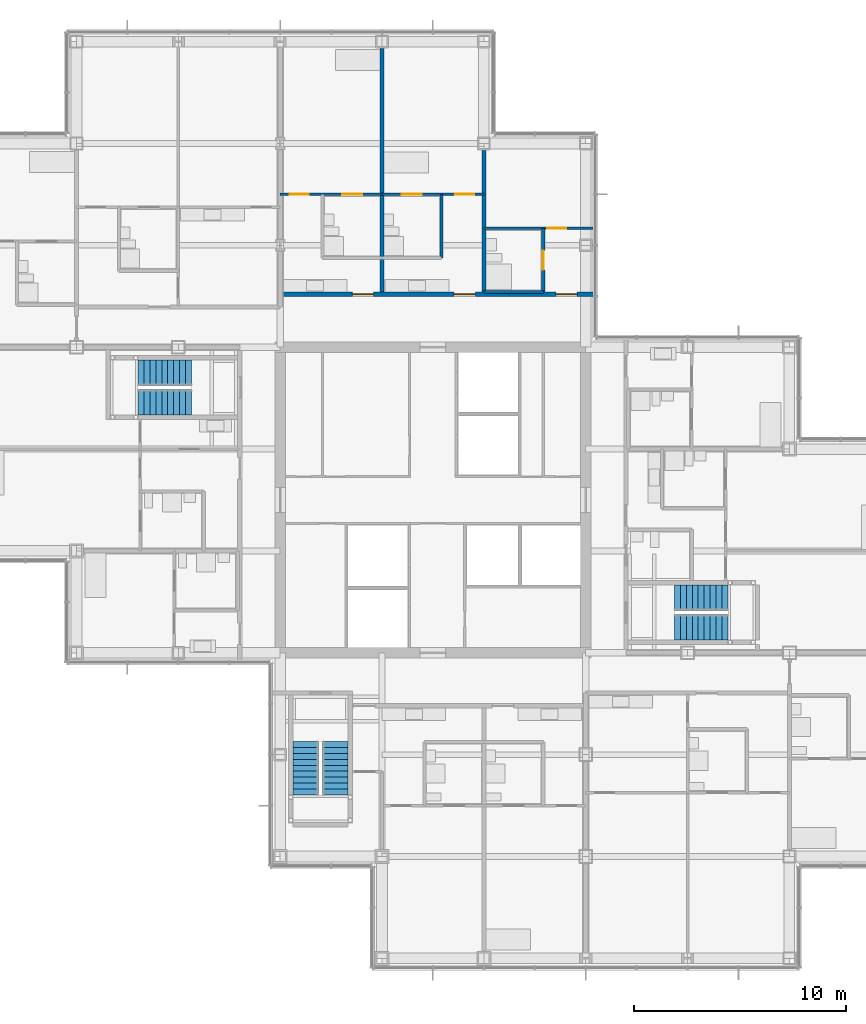
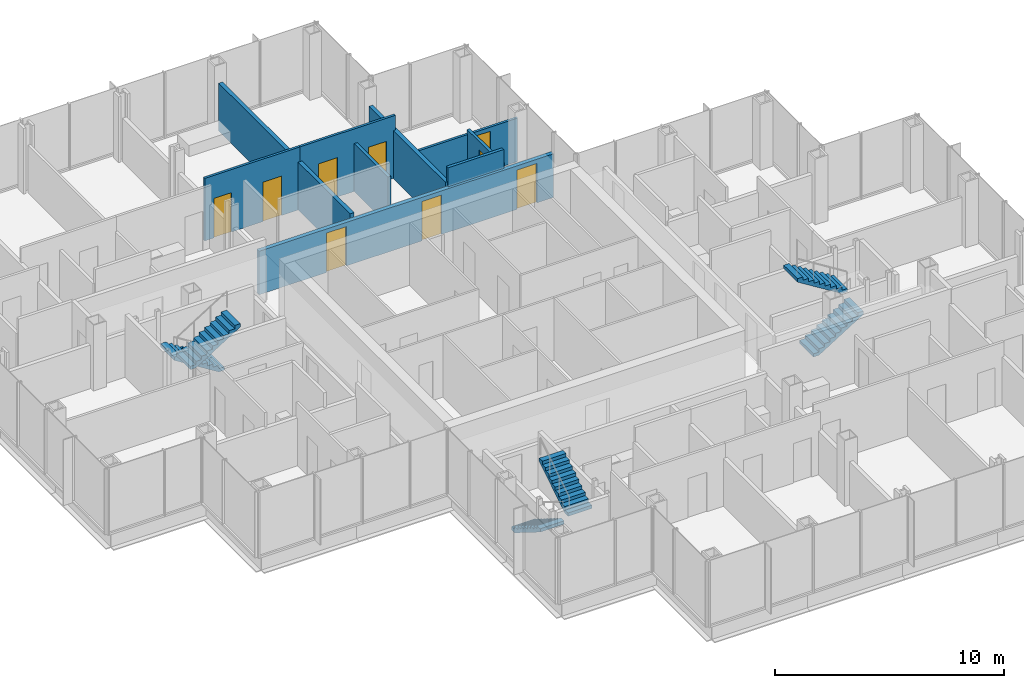
# One storey, part 17 of 20: 9 doors, 9 walls, 6 stair flights, 9 openings, 3 elements without a shape of their own.
"""IFC4 building model written with IfcOpenShell, lengths in metres."""

import ifcopenshell
import ifcopenshell.guid

model = None  # the IFC model being written
_history = None  # IfcOwnerHistory: only IFC2X3 demands one
_inside = {}  # id of a spatial element -> (the spatial element, [elements in it])
_under = {}  # id of a project, library or spatial element -> (it, [spatial elements below it])
_declared = {}  # id of a project -> (the project, [libraries it declares])
_typed = {}  # id of a type object -> (the type object, [elements of that type])
_made_of = {}  # id of a material, layer set ... -> (it, [elements and type objects made of it])


def new_model(schema):
    """Start an empty IFC model of exactly this schema.

    Asked for "IFC4X3", IfcOpenShell would pick the latest addendum, in which some entities
    have other attributes; the version numbers below select the first issue.
    IFC2X3 requires an IfcOwnerHistory on every rooted entity: one is made here for all.
    """
    global model, _history
    if schema == "IFC4X3":
        model = ifcopenshell.file(schema_version=(4, 3, 0, 0))
    else:
        model = ifcopenshell.file(schema=schema)
    _inside.clear()
    _under.clear()
    _declared.clear()
    _typed.clear()
    _made_of.clear()
    _history = None
    if model.schema == "IFC2X3":
        org = make("IfcOrganization", Name="unknown")
        user = make(
            "IfcPersonAndOrganization",
            ThePerson=make("IfcPerson", FamilyName="unknown"),
            TheOrganization=org,
        )
        app = make(
            "IfcApplication",
            ApplicationDeveloper=org,
            Version="unknown",
            ApplicationFullName="unknown",
            ApplicationIdentifier="unknown",
        )
        _history = make(
            "IfcOwnerHistory",
            OwningUser=user,
            OwningApplication=app,
            ChangeAction="ADDED",
            CreationDate=0,
        )
    return model


def make(cls, **values):
    """One entity of the class cls with the attributes given. An attribute that is None is left unset."""
    return model.create_entity(
        cls, **{name: value for name, value in values.items() if value is not None}
    )


def rooted(cls, **values):
    """An entity with a GlobalId (a new one), such as an element, a storey or a relation."""
    return make(cls, GlobalId=ifcopenshell.guid.new(), OwnerHistory=_history, **values)


def si_unit(unit_type, name, prefix=None):
    """IfcSIUnit, for example si_unit("LENGTHUNIT", "METRE", prefix="MILLI")."""
    return make("IfcSIUnit", UnitType=unit_type, Prefix=prefix, Name=name)


def assignment(units):
    """IfcUnitAssignment: the units of a project."""
    return None if units is None else make("IfcUnitAssignment", Units=units)


def point(xyz):
    """IfcCartesianPoint."""
    return None if xyz is None else make("IfcCartesianPoint", Coordinates=xyz)


def direction(xyz):
    """IfcDirection."""
    return None if xyz is None else make("IfcDirection", DirectionRatios=xyz)


def frame(location, z_axis=None, x_axis=None):
    """IfcAxis2Placement3D, a coordinate frame: its origin and axes. An axis left out is left unset."""
    return make(
        "IfcAxis2Placement3D",
        Location=point(location),
        Axis=direction(z_axis),
        RefDirection=direction(x_axis),
    )


def frame_2d(location, x_axis=None):
    """IfcAxis2Placement2D, a coordinate frame in the plane: its origin and x axis."""
    return make(
        "IfcAxis2Placement2D", Location=point(location), RefDirection=direction(x_axis)
    )


def origin():
    """The frame at (0, 0, 0) with its axes left unset."""
    return frame((0.0, 0.0, 0.0))


def place(relative_to, where):
    """IfcLocalPlacement: puts the frame where relative to a parent placement (None: the world)."""
    return make(
        "IfcLocalPlacement", PlacementRelTo=relative_to, RelativePlacement=where
    )


def context(
    kind, dimensions, precision=None, world=None, true_north=None, identifier=None
):
    """IfcGeometricRepresentationContext, for example the 3D "Model" context."""
    return make(
        "IfcGeometricRepresentationContext",
        ContextIdentifier=identifier,
        ContextType=kind,
        CoordinateSpaceDimension=dimensions,
        Precision=precision,
        WorldCoordinateSystem=world,
        TrueNorth=true_north,
    )


def subcontext(parent, identifier, kind, view, scale=None):
    """IfcGeometricRepresentationSubContext, for example "Body" below "Model"."""
    return make(
        "IfcGeometricRepresentationSubContext",
        ContextIdentifier=identifier,
        ContextType=kind,
        ParentContext=parent,
        TargetScale=scale,
        TargetView=view,
    )


def project(units=None, contexts=None):
    """IfcProject with its units and contexts."""
    return rooted(
        "IfcProject",
        Name="project",
        RepresentationContexts=contexts,
        UnitsInContext=assignment(units),
    )


def spatial(cls, under=None, at=None, **own):
    """A site, building, storey or space (cls), placed at a placement, below another one or the project."""
    s = rooted(cls, ObjectPlacement=at, **own)
    if under is not None:
        _under.setdefault(under.id(), (under, []))[1].append(s)
    return s


def polyline(points):
    """IfcPolyline through the points."""
    return make("IfcPolyline", Points=[point(p) for p in points])


def profile(cls, at=None, kind="AREA", **sizes):
    """A parametric profile (cls). Its sizes go by their IFC names, for example OverallWidth=200.0."""
    return make(cls, ProfileType=kind, Position=at, **sizes)


def rectangle(**sizes):
    """IfcRectangleProfileDef."""
    return profile("IfcRectangleProfileDef", **sizes)


def outline(outer, holes=None, kind="AREA"):
    """IfcArbitraryClosedProfileDef: a profile drawn as a closed curve; with holes, ...WithVoids."""
    if holes is None:
        return make("IfcArbitraryClosedProfileDef", ProfileType=kind, OuterCurve=outer)
    return make(
        "IfcArbitraryProfileDefWithVoids",
        ProfileType=kind,
        OuterCurve=outer,
        InnerCurves=holes,
    )


def extrude(swept, where, along, depth):
    """IfcExtrudedAreaSolid: the profile swept, set in the frame where, extruded along a direction by depth."""
    return make(
        "IfcExtrudedAreaSolid",
        SweptArea=swept,
        Position=where,
        ExtrudedDirection=direction(along),
        Depth=depth,
    )


def shape(context_of_items, identifier, shape_type, items):
    """IfcShapeRepresentation: the items that make up one representation, for example the "Body"."""
    return make(
        "IfcShapeRepresentation",
        ContextOfItems=context_of_items,
        RepresentationIdentifier=identifier,
        RepresentationType=shape_type,
        Items=items,
    )


def material(Name=None, Category=None):
    """IfcMaterial."""
    return make("IfcMaterial", Name=Name, Category=Category)


def layer(
    of_material, thickness, ventilated=None, Name=None, Category=None, Priority=None
):
    """IfcMaterialLayer: one layer of a wall or slab, of a material (None: an air gap)."""
    return make(
        "IfcMaterialLayer",
        Material=of_material,
        LayerThickness=thickness,
        IsVentilated=ventilated,
        Name=Name,
        Category=Category,
        Priority=Priority,
    )


def layer_set(layers, Name=None):
    """IfcMaterialLayerSet."""
    return make("IfcMaterialLayerSet", MaterialLayers=layers, LayerSetName=Name)


def made_of(thing, what):
    """Note that an element or type object is made of a material, layer set ...; save() writes the relation."""
    if what is not None:
        _made_of.setdefault(what.id(), (what, []))[1].append(thing)
    return thing


def type_object(cls, material=None, **own):
    """A type object (cls), such as IfcWallType, which elements share."""
    return made_of(rooted(cls, **own), material)


def element(
    cls,
    number,
    at=None,
    inside=None,
    cuts=None,
    type_object=None,
    material=None,
    context=None,
    identifier="Body",
    shape_type=None,
    held_by="IfcProductDefinitionShape",
    body=None,
    shapes=None,
    **own,
):
    """One element of the class cls, such as IfcWall. Its Tag is "e" and its number.

    at: its placement. inside: the storey or other place that contains it. cuts: it is an
    opening in that element (IfcRelVoidsElement). A single representation is given by context,
    identifier, shape_type and body (its items); several are given by shapes. held_by: the class
    of the entity that holds the representations. save() writes the other relations.
    """
    e = rooted(cls, Tag="e%d" % number, ObjectPlacement=at, **own)
    if body is not None:
        shapes = [shape(context, identifier, shape_type, body)]
    if shapes is not None:
        e.Representation = make(held_by, Representations=shapes)
    if inside is not None:
        _inside.setdefault(inside.id(), (inside, []))[1].append(e)
    if cuts is not None:
        rooted(
            "IfcRelVoidsElement", RelatingBuildingElement=cuts, RelatedOpeningElement=e
        )
    if type_object is not None:
        _typed.setdefault(type_object.id(), (type_object, []))[1].append(e)
    return made_of(e, material)


def fill(opening, filler):
    """IfcRelFillsElement: the door or window that sits in an opening."""
    return rooted(
        "IfcRelFillsElement",
        RelatingOpeningElement=opening,
        RelatedBuildingElement=filler,
    )


def aggregate(whole, parts):
    """IfcRelAggregates: a whole, such as a stair, and the parts it consists of."""
    return rooted("IfcRelAggregates", RelatingObject=whole, RelatedObjects=parts)


def save(model, path):
    """Write the relations noted so far, then the file.

    IfcRelAggregates (storeys below a building ...), IfcRelContainedInSpatialStructure (elements
    in a storey), IfcRelDefinesByType, IfcRelAssociatesMaterial and IfcRelDeclares: one each for
    every whole, place, type object, material and project.
    """
    for whole, parts in _under.values():
        aggregate(whole, parts)
    for where, things in _inside.values():
        rooted(
            "IfcRelContainedInSpatialStructure",
            RelatedElements=things,
            RelatingStructure=where,
        )
    for kind, things in _typed.values():
        rooted("IfcRelDefinesByType", RelatedObjects=things, RelatingType=kind)
    for what, things in _made_of.values():
        rooted("IfcRelAssociatesMaterial", RelatedObjects=things, RelatingMaterial=what)
    for by, libraries in _declared.values():
        rooted("IfcRelDeclares", RelatingContext=by, RelatedDefinitions=libraries)
    model.write(path)


model = new_model("IFC4")

# Units and contexts
model_context = context("Model", 3, precision=1e-05, world=origin(), true_north=direction((0.0, 1.0)))
body_context = subcontext(model_context, "Body", "Model", "MODEL_VIEW")
ifc_project = project(units=[si_unit("LENGTHUNIT", "METRE"), si_unit("AREAUNIT", "SQUARE_METRE"), si_unit("VOLUMEUNIT", "CUBIC_METRE"), si_unit("PLANEANGLEUNIT", "RADIAN"), si_unit("MASSUNIT", "GRAM", prefix="KILO")], contexts=[model_context])

# Site, building, storey
site_placement = place(None, origin())
site = spatial("IfcSite", under=ifc_project, at=site_placement, CompositionType="ELEMENT")
building_placement = place(site_placement, origin())
building = spatial("IfcBuilding", under=site, at=building_placement, Name="Kvirike Care Tower", CompositionType="ELEMENT")
storey_placement = place(building_placement, frame((0.0, 0.0, 101.5)))
storey = spatial("IfcBuildingStorey", under=building, at=storey_placement, Name="L27", CompositionType="ELEMENT", Elevation=101.5)

# Wall, opening, door
ifc_material_1 = material(Name="Moisture-resistant board partition", Category="gypsum")
ifc_layer_1 = layer(ifc_material_1, 0.14990234375)
ifc_layer_set_1 = layer_set([ifc_layer_1], Name="BATHROOM WALL 150")
wall_type_1 = type_object("IfcWallType", Name="BATHROOM WALL 150", PredefinedType="PARTITIONING", material=ifc_layer_set_1)
wall_1_placement = place(storey_placement, frame((26.800048828125, 48.800048828125, 0.0), z_axis=(0.0, 0.0, 1.0), x_axis=(0.0, -1.0, 0.0)))
wall_1 = element("IfcWall", 1, at=wall_1_placement, inside=storey, type_object=wall_type_1, Name="Bathroom Wall 150 L27", PredefinedType="PARTITIONING", context=body_context, shape_type="SweptSolid", body=[
    extrude(rectangle(XDim=3.0, YDim=0.14990234375, at=frame_2d((1.5, 0.0))), origin(), (0.0, 0.0, 1.0), 2.550048828125),
])
opening_1_placement = place(wall_1_placement, frame((1.050048828125, 0.0, 0.0)))
opening_1 = element("IfcOpeningElement", 2, at=opening_1_placement, cuts=wall_1, Name="Opening 27-026", PredefinedType="OPENING", context=body_context, shape_type="SweptSolid", body=[
    extrude(rectangle(XDim=0.89990234375, YDim=2.10009765625, at=frame_2d((0.449951171875, 1.050048828125))), frame((0.0, 0.08544921875, 0.0), z_axis=(0.0, -1.0, 0.0), x_axis=(1.0, 0.0, 0.0)), (0.0, 0.0, 1.0), 0.1708984375),
])
ifc_material_2 = material(Name="Timber door set", Category="wood")
door_type_1 = type_object("IfcDoorType", Name="BATHROOM DOOR 900", OperationType="SINGLE_SWING_RIGHT", PredefinedType="DOOR", material=ifc_material_2)
door_1_placement = place(opening_1_placement, origin())
door_1 = element("IfcDoor", 3, at=door_1_placement, inside=storey, type_object=door_type_1, Name="Assisted bathroom door", OperationType="SINGLE_SWING_RIGHT", OverallHeight=2.10009765625, OverallWidth=0.89990234375, PredefinedType="DOOR", context=body_context, shape_type="SweptSolid", body=[
    extrude(rectangle(XDim=0.89990234375, YDim=2.10009765625, at=frame_2d((0.449951171875, 1.050048828125))), frame((0.0, 0.02197265625, 0.0), z_axis=(0.0, -1.0, 0.0), x_axis=(1.0, 0.0, 0.0)), (0.0, 0.0, 1.0), 0.0439453125),
])
fill(opening_1, door_1)

# Walls
wall_2_placement = place(storey_placement, frame((26.800048828125, 45.800048828125, 0.0), z_axis=(0.0, 0.0, 1.0), x_axis=(-1.0, 0.0, 0.0)))
element("IfcWall", 4, at=wall_2_placement, inside=storey, type_object=wall_type_1, Name="Bathroom Wall 150 L27", PredefinedType="PARTITIONING", context=body_context, shape_type="SweptSolid", body=[
    extrude(rectangle(XDim=2.800048828125, YDim=0.14990234375, at=frame_2d((1.39990234375, 0.0))), origin(), (0.0, 0.0, 1.0), 3.330078125),
])
wall_3_placement = place(storey_placement, frame((22.0, 50.39990234375, 0.0), z_axis=(0.0, 0.0, 1.0), x_axis=(0.0, -1.0, 0.0)))
element("IfcWall", 5, at=wall_3_placement, inside=storey, type_object=wall_type_1, Name="Bathroom Wall 150 L27", PredefinedType="PARTITIONING", context=body_context, shape_type="SweptSolid", body=[
    extrude(rectangle(XDim=3.0, YDim=0.14990234375, at=frame_2d((1.5, 0.0))), origin(), (0.0, 0.0, 1.0), 2.550048828125),
])

# Wall, openings, doors
ifc_material_3 = material(Name="Plasterboard corridor wall", Category="gypsum")
ifc_layer_2 = layer(ifc_material_3, 0.199951171875)
ifc_layer_set_2 = layer_set([ifc_layer_2], Name="CORRIDOR WALL 200")
wall_type_2 = type_object("IfcWallType", Name="CORRIDOR WALL 200", PredefinedType="PARTITIONING", material=ifc_layer_set_2)
wall_4_placement = place(storey_placement, frame((29.239990234375, 45.699951171875, 0.0), z_axis=(0.0, 0.0, 1.0), x_axis=(-1.0, 0.0, 0.0)))
wall_4 = element("IfcWall", 6, at=wall_4_placement, inside=storey, type_object=wall_type_2, Name="Corridor Wall 200 L27", PredefinedType="PARTITIONING", context=body_context, shape_type="SweptSolid", body=[
    extrude(rectangle(XDim=14.840087890625, YDim=0.199951171875, at=frame_2d((7.419921875, 0.0))), origin(), (0.0, 0.0, 1.0), 2.320068359375),
])
opening_2_placement = place(wall_4_placement, frame((0.840087890625, 0.0, 0.0)))
opening_2 = element("IfcOpeningElement", 7, at=opening_2_placement, cuts=wall_4, Name="Opening 27-032", PredefinedType="OPENING", context=body_context, shape_type="SweptSolid", body=[
    extrude(rectangle(XDim=1.0, YDim=2.10009765625, at=frame_2d((0.5, 1.050048828125))), frame((0.0, 0.110595703125, 0.0), z_axis=(0.0, -1.0, 0.0), x_axis=(1.0, 0.0, 0.0)), (0.0, 0.0, 1.0), 0.220947265625),
])
opening_3_placement = place(wall_4_placement, frame((5.639892578125, 0.0, 0.0)))
opening_3 = element("IfcOpeningElement", 8, at=opening_3_placement, cuts=wall_4, Name="Opening 27-033", PredefinedType="OPENING", context=body_context, shape_type="SweptSolid", body=[
    extrude(rectangle(XDim=1.0, YDim=2.10009765625, at=frame_2d((0.5, 1.050048828125))), frame((0.0, 0.110595703125, 0.0), z_axis=(0.0, -1.0, 0.0), x_axis=(1.0, 0.0, 0.0)), (0.0, 0.0, 1.0), 0.220947265625),
])
opening_4_placement = place(wall_4_placement, frame((10.43994140625, 0.0, 0.0)))
opening_4 = element("IfcOpeningElement", 9, at=opening_4_placement, cuts=wall_4, Name="Opening 27-034", PredefinedType="OPENING", context=body_context, shape_type="SweptSolid", body=[
    extrude(rectangle(XDim=1.0, YDim=2.10009765625, at=frame_2d((0.5, 1.050048828125))), frame((0.0, 0.110595703125, 0.0), z_axis=(0.0, -1.0, 0.0), x_axis=(1.0, 0.0, 0.0)), (0.0, 0.0, 1.0), 0.220947265625),
])
ifc_material_4 = material(Name="Timber door set", Category="wood")
door_type_2 = type_object("IfcDoorType", Name="FLAT ENTRANCE DOOR 1000", OperationType="SINGLE_SWING_LEFT", PredefinedType="DOOR", material=ifc_material_4)
door_2_placement = place(opening_2_placement, frame((1.0, 0.0, 0.0), z_axis=(0.0, 0.0, 1.0), x_axis=(-1.0, 0.0, 0.0)))
door_2 = element("IfcDoor", 10, at=door_2_placement, inside=storey, type_object=door_type_2, Name="Care base entrance", OperationType="SINGLE_SWING_LEFT", OverallHeight=2.10009765625, OverallWidth=1.0, PredefinedType="DOOR", context=body_context, shape_type="SweptSolid", body=[
    extrude(rectangle(XDim=1.0, YDim=2.10009765625, at=frame_2d((0.5, 1.050048828125))), frame((0.0, 0.02685546875, 0.0), z_axis=(0.0, -1.0, 0.0), x_axis=(1.0, 0.0, 0.0)), (0.0, 0.0, 1.0), 0.053955078125),
])
fill(opening_2, door_2)
door_3_placement = place(opening_3_placement, frame((1.0, 0.0, 0.0), z_axis=(0.0, 0.0, 1.0), x_axis=(-1.0, 0.0, 0.0)))
door_3 = element("IfcDoor", 11, at=door_3_placement, inside=storey, type_object=door_type_2, Name="Assisted living suite entrance", OperationType="SINGLE_SWING_LEFT", OverallHeight=2.10009765625, OverallWidth=1.0, PredefinedType="DOOR", context=body_context, shape_type="SweptSolid", body=[
    extrude(rectangle(XDim=1.0, YDim=2.10009765625, at=frame_2d((0.5, 1.050048828125))), frame((0.0, 0.02685546875, 0.0), z_axis=(0.0, -1.0, 0.0), x_axis=(1.0, 0.0, 0.0)), (0.0, 0.0, 1.0), 0.053955078125),
])
fill(opening_3, door_3)
door_4_placement = place(opening_4_placement, frame((1.0, 0.0, 0.0), z_axis=(0.0, 0.0, 1.0), x_axis=(-1.0, 0.0, 0.0)))
door_4 = element("IfcDoor", 12, at=door_4_placement, inside=storey, type_object=door_type_2, Name="Assisted living suite entrance", OperationType="SINGLE_SWING_LEFT", OverallHeight=2.10009765625, OverallWidth=1.0, PredefinedType="DOOR", context=body_context, shape_type="SweptSolid", body=[
    extrude(rectangle(XDim=1.0, YDim=2.10009765625, at=frame_2d((0.5, 1.050048828125))), frame((0.0, 0.02685546875, 0.0), z_axis=(0.0, -1.0, 0.0), x_axis=(1.0, 0.0, 0.0)), (0.0, 0.0, 1.0), 0.053955078125),
])
fill(opening_4, door_4)

# Wall, opening, door
ifc_material_5 = material(Name="Plasterboard partition", Category="gypsum")
ifc_layer_3 = layer(ifc_material_5, 0.1201171875)
ifc_layer_set_3 = layer_set([ifc_layer_3], Name="PARTITION 120")
wall_type_3 = type_object("IfcWallType", Name="PARTITION 120", PredefinedType="PARTITIONING", material=ifc_layer_set_3)
wall_5_placement = place(storey_placement, frame((29.239990234375, 48.800048828125, 0.0), z_axis=(0.0, 0.0, 1.0), x_axis=(-1.0, 0.0, 0.0)))
wall_5 = element("IfcWall", 13, at=wall_5_placement, inside=storey, type_object=wall_type_3, Name="Partition 120 L27", PredefinedType="PARTITIONING", context=body_context, shape_type="SweptSolid", body=[
    extrude(rectangle(XDim=5.239990234375, YDim=0.1201171875, at=frame_2d((2.6201171875, 0.0))), origin(), (0.0, 0.0, 1.0), 2.320068359375),
])
opening_5_placement = place(wall_5_placement, frame((1.364990234375, 0.0, 0.0)))
opening_5 = element("IfcOpeningElement", 14, at=opening_5_placement, cuts=wall_5, Name="Opening 27-027", PredefinedType="OPENING", context=body_context, shape_type="SweptSolid", body=[
    extrude(rectangle(XDim=0.89990234375, YDim=2.10009765625, at=frame_2d((0.449951171875, 1.050048828125))), frame((0.0, 0.070556640625, 0.0), z_axis=(0.0, -1.0, 0.0), x_axis=(1.0, 0.0, 0.0)), (0.0, 0.0, 1.0), 0.14111328125),
])
ifc_material_6 = material(Name="Timber door set", Category="wood")
door_type_3 = type_object("IfcDoorType", Name="INTERNAL DOOR 900", OperationType="SINGLE_SWING_LEFT", PredefinedType="DOOR", material=ifc_material_6)
door_5_placement = place(opening_5_placement, origin())
door_5 = element("IfcDoor", 15, at=door_5_placement, inside=storey, type_object=door_type_3, Name="Care lounge door", OperationType="SINGLE_SWING_LEFT", OverallHeight=2.10009765625, OverallWidth=0.89990234375, PredefinedType="DOOR", context=body_context, shape_type="SweptSolid", body=[
    extrude(rectangle(XDim=0.89990234375, YDim=2.10009765625, at=frame_2d((0.449951171875, 1.050048828125))), frame((0.0, 0.02197265625, 0.0), z_axis=(0.0, -1.0, 0.0), x_axis=(1.0, 0.0, 0.0)), (0.0, 0.0, 1.0), 0.0439453125),
])
fill(opening_5, door_5)

# Wall, openings, doors
wall_6_placement = place(storey_placement, frame((24.0, 50.39990234375, 0.0), z_axis=(0.0, 0.0, 1.0), x_axis=(-1.0, 0.0, 0.0)))
wall_6 = element("IfcWall", 16, at=wall_6_placement, inside=storey, type_object=wall_type_3, Name="Partition 120 L27", PredefinedType="PARTITIONING", context=body_context, shape_type="SweptSolid", body=[
    extrude(rectangle(XDim=4.800048828125, YDim=0.1201171875, at=frame_2d((2.39990234375, 0.0))), origin(), (0.0, 0.0, 1.0), 3.330078125),
])
opening_6_placement = place(wall_6_placement, frame((0.449951171875, 0.0, 0.0)))
opening_6 = element("IfcOpeningElement", 17, at=opening_6_placement, cuts=wall_6, Name="Opening 27-028", PredefinedType="OPENING", context=body_context, shape_type="SweptSolid", body=[
    extrude(rectangle(XDim=0.89990234375, YDim=2.10009765625, at=frame_2d((0.449951171875, 1.050048828125))), frame((0.0, 0.070556640625, 0.0), z_axis=(0.0, -1.0, 0.0), x_axis=(1.0, 0.0, 0.0)), (0.0, 0.0, 1.0), 0.14111328125),
])
opening_7_placement = place(wall_6_placement, frame((2.925048828125, 0.0, 0.0)))
opening_7 = element("IfcOpeningElement", 18, at=opening_7_placement, cuts=wall_6, Name="Opening 27-029", PredefinedType="OPENING", context=body_context, shape_type="SweptSolid", body=[
    extrude(rectangle(XDim=0.949951171875, YDim=2.10009765625, at=frame_2d((0.47509765625, 1.050048828125))), frame((0.0, 0.070556640625, 0.0), z_axis=(0.0, -1.0, 0.0), x_axis=(1.0, 0.0, 0.0)), (0.0, 0.0, 1.0), 0.14111328125),
])
ifc_material_7 = material(Name="Timber door set", Category="wood")
door_type_4 = type_object("IfcDoorType", Name="EN-SUITE SLIDING DOOR 950", OperationType="SLIDING_TO_LEFT", PredefinedType="DOOR", material=ifc_material_7)
door_6_placement = place(opening_7_placement, origin())
door_6 = element("IfcDoor", 19, at=door_6_placement, inside=storey, type_object=door_type_4, Name="En-suite door", OperationType="SLIDING_TO_LEFT", OverallHeight=2.10009765625, OverallWidth=0.949951171875, PredefinedType="DOOR", context=body_context, shape_type="SweptSolid", body=[
    extrude(rectangle(XDim=0.949951171875, YDim=2.10009765625, at=frame_2d((0.47509765625, 1.050048828125))), frame((0.0, 0.02197265625, 0.0), z_axis=(0.0, -1.0, 0.0), x_axis=(1.0, 0.0, 0.0)), (0.0, 0.0, 1.0), 0.0439453125),
])
fill(opening_7, door_6)
door_7_placement = place(opening_6_placement, origin())
door_7 = element("IfcDoor", 20, at=door_7_placement, inside=storey, type_object=door_type_3, Name="Assisted living suite door", OperationType="SINGLE_SWING_RIGHT", OverallHeight=2.10009765625, OverallWidth=0.89990234375, PredefinedType="DOOR", context=body_context, shape_type="SweptSolid", body=[
    extrude(rectangle(XDim=0.89990234375, YDim=2.10009765625, at=frame_2d((0.449951171875, 1.050048828125))), frame((0.0, 0.02197265625, 0.0), z_axis=(0.0, -1.0, 0.0), x_axis=(1.0, 0.0, 0.0)), (0.0, 0.0, 1.0), 0.0439453125),
])
fill(opening_6, door_7)

wall_7_placement = place(storey_placement, frame((19.199951171875, 50.39990234375, 0.0), z_axis=(0.0, 0.0, 1.0), x_axis=(-1.0, 0.0, 0.0)))
wall_7 = element("IfcWall", 21, at=wall_7_placement, inside=storey, type_object=wall_type_3, Name="Partition 120 L27", PredefinedType="PARTITIONING", context=body_context, shape_type="SweptSolid", body=[
    extrude(rectangle(XDim=4.800048828125, YDim=0.1201171875, at=frame_2d((2.39990234375, 0.0))), origin(), (0.0, 0.0, 1.0), 3.330078125),
])
opening_8_placement = place(wall_7_placement, frame((3.449951171875, 0.0, 0.0)))
opening_8 = element("IfcOpeningElement", 22, at=opening_8_placement, cuts=wall_7, Name="Opening 27-030", PredefinedType="OPENING", context=body_context, shape_type="SweptSolid", body=[
    extrude(rectangle(XDim=0.89990234375, YDim=2.10009765625, at=frame_2d((0.449951171875, 1.050048828125))), frame((0.0, 0.070556640625, 0.0), z_axis=(0.0, -1.0, 0.0), x_axis=(1.0, 0.0, 0.0)), (0.0, 0.0, 1.0), 0.14111328125),
])
opening_9_placement = place(wall_7_placement, frame((0.925048828125, 0.0, 0.0)))
opening_9 = element("IfcOpeningElement", 23, at=opening_9_placement, cuts=wall_7, Name="Opening 27-031", PredefinedType="OPENING", context=body_context, shape_type="SweptSolid", body=[
    extrude(rectangle(XDim=0.949951171875, YDim=2.10009765625, at=frame_2d((0.47509765625, 1.050048828125))), frame((0.0, 0.070556640625, 0.0), z_axis=(0.0, -1.0, 0.0), x_axis=(1.0, 0.0, 0.0)), (0.0, 0.0, 1.0), 0.14111328125),
])
door_8_placement = place(opening_9_placement, origin())
door_8 = element("IfcDoor", 24, at=door_8_placement, inside=storey, type_object=door_type_4, Name="En-suite door", OperationType="SLIDING_TO_RIGHT", OverallHeight=2.10009765625, OverallWidth=0.949951171875, PredefinedType="DOOR", context=body_context, shape_type="SweptSolid", body=[
    extrude(rectangle(XDim=0.949951171875, YDim=2.10009765625, at=frame_2d((0.47509765625, 1.050048828125))), frame((0.0, 0.02197265625, 0.0), z_axis=(0.0, -1.0, 0.0), x_axis=(1.0, 0.0, 0.0)), (0.0, 0.0, 1.0), 0.0439453125),
])
fill(opening_9, door_8)
door_9_placement = place(opening_8_placement, origin())
door_9 = element("IfcDoor", 25, at=door_9_placement, inside=storey, type_object=door_type_3, Name="Assisted living suite door", OperationType="SINGLE_SWING_LEFT", OverallHeight=2.10009765625, OverallWidth=0.89990234375, PredefinedType="DOOR", context=body_context, shape_type="SweptSolid", body=[
    extrude(rectangle(XDim=0.89990234375, YDim=2.10009765625, at=frame_2d((0.449951171875, 1.050048828125))), frame((0.0, 0.02197265625, 0.0), z_axis=(0.0, -1.0, 0.0), x_axis=(1.0, 0.0, 0.0)), (0.0, 0.0, 1.0), 0.0439453125),
])
fill(opening_8, door_9)

# Walls
ifc_material_8 = material(Name="Plasterboard party wall", Category="gypsum")
ifc_layer_4 = layer(ifc_material_8, 0.199951171875)
ifc_layer_set_4 = layer_set([ifc_layer_4], Name="PARTY WALL 200")
wall_type_4 = type_object("IfcWallType", Name="PARTY WALL 200", PredefinedType="PARTITIONING", material=ifc_layer_set_4)
wall_8_placement = place(storey_placement, frame((24.0, 52.47998046875, 0.0), z_axis=(0.0, 0.0, 1.0), x_axis=(0.0, -1.0, 0.0)))
element("IfcWall", 26, at=wall_8_placement, inside=storey, type_object=wall_type_4, Name="Party Wall 200 L27", PredefinedType="PARTITIONING", context=body_context, shape_type="SweptSolid", body=[
    extrude(rectangle(XDim=6.679931640625, YDim=0.199951171875, at=frame_2d((3.33984375, 0.0))), origin(), (0.0, 0.0, 1.0), 2.550048828125),
])
wall_9_placement = place(storey_placement, frame((19.199951171875, 57.280029296875, 0.0), z_axis=(0.0, 0.0, 1.0), x_axis=(0.0, -1.0, 0.0)))
element("IfcWall", 27, at=wall_9_placement, inside=storey, type_object=wall_type_4, Name="Party Wall 200 L27", PredefinedType="PARTITIONING", context=body_context, shape_type="SweptSolid", body=[
    extrude(rectangle(XDim=11.47998046875, YDim=0.199951171875, at=frame_2d((5.739990234375, 0.0))), origin(), (0.0, 0.0, 1.0), 2.550048828125),
])

# Stair, stair flights
ifc_material_9 = material(Name="Concrete C35/45", Category="concrete")
stair_type = type_object("IfcStairType", Name="STAIR 20 RISERS", PredefinedType="HALF_TURN_STAIR", material=ifc_material_9)
stair_1_placement = place(storey_placement, origin())
stair_1 = element("IfcStair", 28, at=stair_1_placement, inside=storey, type_object=stair_type, Name="Stair 1 L27", PredefinedType="HALF_TURN_STAIR")
ifc_material_10 = material(Name="Concrete C35/45", Category="concrete")
stair_flight_type = type_object("IfcStairFlightType", Name="FLIGHT 10 RISERS", PredefinedType="STRAIGHT", material=ifc_material_10)
stair_flight_1_placement = place(storey_placement, frame((10.219970703125, 42.0, 0.0), z_axis=(0.0, 0.0, 1.0), x_axis=(-1.0, 0.0, 0.0)))
stair_flight_1 = element("IfcStairFlight", 29, at=stair_flight_1_placement, type_object=stair_flight_type, Name="Stair S1 flight 1 L27-L28", NumberOfRisers=10, NumberOfTreads=9, PredefinedType="STRAIGHT", RiserHeight=0.175, TreadLength=0.28, context=body_context, shape_type="SweptSolid", body=[
    extrude(outline(polyline([(0.0, 0.0), (0.0, 0.175048828125), (0.280029296875, 0.175048828125), (0.280029296875, 0.35009765625), (0.56005859375, 0.35009765625), (0.56005859375, 0.52490234375), (0.840087890625, 0.52490234375), (0.840087890625, 0.699951171875), (1.1201171875, 0.699951171875), (1.1201171875, 0.875), (1.39990234375, 0.875), (1.39990234375, 1.050048828125), (1.679931640625, 1.050048828125), (1.679931640625, 1.22509765625), (1.9599609375, 1.22509765625), (1.9599609375, 1.39990234375), (2.239990234375, 1.39990234375), (2.239990234375, 1.574951171875), (2.52001953125, 1.574951171875), (2.52001953125, 1.75), (2.52001953125, 1.398193359375), (0.28271484375, 0.0), (0.0, 0.0)])), frame((0.0, 0.60009765625, 0.0), z_axis=(0.0, -1.0, 0.0), x_axis=(1.0, 0.0, 0.0)), (0.0, 0.0, 1.0), 1.199951171875),
])
stair_flight_2_placement = place(storey_placement, frame((7.699951171875, 40.60009765625, 1.75), z_axis=(0.0, 0.0, 1.0), x_axis=(1.0, 0.0, 0.0)))
stair_flight_2 = element("IfcStairFlight", 30, at=stair_flight_2_placement, type_object=stair_flight_type, Name="Stair S1 flight 2 L27-L28", NumberOfRisers=10, NumberOfTreads=9, PredefinedType="STRAIGHT", RiserHeight=0.175, TreadLength=0.28, context=body_context, shape_type="SweptSolid", body=[
    extrude(outline(polyline([(0.0, 0.0), (0.0, 0.175048828125), (0.280029296875, 0.175048828125), (0.280029296875, 0.35009765625), (0.56005859375, 0.35009765625), (0.56005859375, 0.52490234375), (0.840087890625, 0.52490234375), (0.840087890625, 0.699951171875), (1.1201171875, 0.699951171875), (1.1201171875, 0.875), (1.39990234375, 0.875), (1.39990234375, 1.050048828125), (1.679931640625, 1.050048828125), (1.679931640625, 1.22509765625), (1.9599609375, 1.22509765625), (1.9599609375, 1.39990234375), (2.239990234375, 1.39990234375), (2.239990234375, 1.574951171875), (2.52001953125, 1.574951171875), (2.52001953125, 1.75), (2.52001953125, 1.398193359375), (0.28271484375, 0.0), (0.0, 0.0)])), frame((0.0, 0.60009765625, 0.0), z_axis=(0.0, -1.0, 0.0), x_axis=(1.0, 0.0, 0.0)), (0.0, 0.0, 1.0), 1.199951171875),
])
aggregate(stair_1, [stair_flight_1, stair_flight_2])

stair_2_placement = place(storey_placement, origin())
stair_2 = element("IfcStair", 31, at=stair_2_placement, inside=storey, type_object=stair_type, Name="Stair 2 L27", PredefinedType="HALF_TURN_STAIR")
stair_flight_3_placement = place(storey_placement, frame((32.97998046875, 30.0, 0.0), z_axis=(0.0, 0.0, 1.0), x_axis=(1.0, 0.0, 0.0)))
stair_flight_3 = element("IfcStairFlight", 32, at=stair_flight_3_placement, type_object=stair_flight_type, Name="Stair S2 flight 1 L27-L28", NumberOfRisers=10, NumberOfTreads=9, PredefinedType="STRAIGHT", RiserHeight=0.175, TreadLength=0.28, context=body_context, shape_type="SweptSolid", body=[
    extrude(outline(polyline([(0.0, 0.0), (0.0, 0.175048828125), (0.280029296875, 0.175048828125), (0.280029296875, 0.35009765625), (0.56005859375, 0.35009765625), (0.56005859375, 0.52490234375), (0.840087890625, 0.52490234375), (0.840087890625, 0.699951171875), (1.1201171875, 0.699951171875), (1.1201171875, 0.875), (1.39990234375, 0.875), (1.39990234375, 1.050048828125), (1.679931640625, 1.050048828125), (1.679931640625, 1.22509765625), (1.9599609375, 1.22509765625), (1.9599609375, 1.39990234375), (2.239990234375, 1.39990234375), (2.239990234375, 1.574951171875), (2.52001953125, 1.574951171875), (2.52001953125, 1.75), (2.52001953125, 1.398193359375), (0.28271484375, 0.0), (0.0, 0.0)])), frame((0.0, 0.60009765625, 0.0), z_axis=(0.0, -1.0, 0.0), x_axis=(1.0, 0.0, 0.0)), (0.0, 0.0, 1.0), 1.199951171875),
])
stair_flight_4_placement = place(storey_placement, frame((35.5, 31.39990234375, 1.75), z_axis=(0.0, 0.0, 1.0), x_axis=(-1.0, 0.0, 0.0)))
stair_flight_4 = element("IfcStairFlight", 33, at=stair_flight_4_placement, type_object=stair_flight_type, Name="Stair S2 flight 2 L27-L28", NumberOfRisers=10, NumberOfTreads=9, PredefinedType="STRAIGHT", RiserHeight=0.175, TreadLength=0.28, context=body_context, shape_type="SweptSolid", body=[
    extrude(outline(polyline([(0.0, 0.0), (0.0, 0.175048828125), (0.280029296875, 0.175048828125), (0.280029296875, 0.35009765625), (0.56005859375, 0.35009765625), (0.56005859375, 0.52490234375), (0.840087890625, 0.52490234375), (0.840087890625, 0.699951171875), (1.1201171875, 0.699951171875), (1.1201171875, 0.875), (1.39990234375, 0.875), (1.39990234375, 1.050048828125), (1.679931640625, 1.050048828125), (1.679931640625, 1.22509765625), (1.9599609375, 1.22509765625), (1.9599609375, 1.39990234375), (2.239990234375, 1.39990234375), (2.239990234375, 1.574951171875), (2.52001953125, 1.574951171875), (2.52001953125, 1.75), (2.52001953125, 1.398193359375), (0.28271484375, 0.0), (0.0, 0.0)])), frame((0.0, 0.60009765625, 0.0), z_axis=(0.0, -1.0, 0.0), x_axis=(1.0, 0.0, 0.0)), (0.0, 0.0, 1.0), 1.199951171875),
])
aggregate(stair_2, [stair_flight_3, stair_flight_4])

stair_3_placement = place(storey_placement, origin())
stair_3 = element("IfcStair", 34, at=stair_3_placement, inside=storey, type_object=stair_type, Name="Stair 5 L27", PredefinedType="HALF_TURN_STAIR")
stair_flight_5_placement = place(storey_placement, frame((15.60009765625, 24.6201171875, 0.0), z_axis=(0.0, 0.0, 1.0), x_axis=(0.0, -1.0, 0.0)))
stair_flight_5 = element("IfcStairFlight", 35, at=stair_flight_5_placement, type_object=stair_flight_type, Name="Stair S5 flight 1 L27-L28", NumberOfRisers=10, NumberOfTreads=9, PredefinedType="STRAIGHT", RiserHeight=0.175, TreadLength=0.28, context=body_context, shape_type="SweptSolid", body=[
    extrude(outline(polyline([(0.0, 0.0), (0.0, 0.175048828125), (0.280029296875, 0.175048828125), (0.280029296875, 0.35009765625), (0.56005859375, 0.35009765625), (0.56005859375, 0.52490234375), (0.840087890625, 0.52490234375), (0.840087890625, 0.699951171875), (1.1201171875, 0.699951171875), (1.1201171875, 0.875), (1.39990234375, 0.875), (1.39990234375, 1.050048828125), (1.679931640625, 1.050048828125), (1.679931640625, 1.22509765625), (1.9599609375, 1.22509765625), (1.9599609375, 1.39990234375), (2.239990234375, 1.39990234375), (2.239990234375, 1.574951171875), (2.52001953125, 1.574951171875), (2.52001953125, 1.75), (2.52001953125, 1.398193359375), (0.28271484375, 0.0), (0.0, 0.0)])), frame((0.0, 0.60009765625, 0.0), z_axis=(0.0, -1.0, 0.0), x_axis=(1.0, 0.0, 0.0)), (0.0, 0.0, 1.0), 1.199951171875),
])
stair_flight_6_placement = place(storey_placement, frame((17.0, 22.10009765625, 1.75), z_axis=(0.0, 0.0, 1.0), x_axis=(0.0, 1.0, 0.0)))
stair_flight_6 = element("IfcStairFlight", 36, at=stair_flight_6_placement, type_object=stair_flight_type, Name="Stair S5 flight 2 L27-L28", NumberOfRisers=10, NumberOfTreads=9, PredefinedType="STRAIGHT", RiserHeight=0.175, TreadLength=0.28, context=body_context, shape_type="SweptSolid", body=[
    extrude(outline(polyline([(0.0, 0.0), (0.0, 0.175048828125), (0.280029296875, 0.175048828125), (0.280029296875, 0.35009765625), (0.56005859375, 0.35009765625), (0.56005859375, 0.52490234375), (0.840087890625, 0.52490234375), (0.840087890625, 0.699951171875), (1.1201171875, 0.699951171875), (1.1201171875, 0.875), (1.39990234375, 0.875), (1.39990234375, 1.050048828125), (1.679931640625, 1.050048828125), (1.679931640625, 1.22509765625), (1.9599609375, 1.22509765625), (1.9599609375, 1.39990234375), (2.239990234375, 1.39990234375), (2.239990234375, 1.574951171875), (2.52001953125, 1.574951171875), (2.52001953125, 1.75), (2.52001953125, 1.398193359375), (0.28271484375, 0.0), (0.0, 0.0)])), frame((0.0, 0.60009765625, 0.0), z_axis=(0.0, -1.0, 0.0), x_axis=(1.0, 0.0, 0.0)), (0.0, 0.0, 1.0), 1.199951171875),
])
aggregate(stair_3, [stair_flight_5, stair_flight_6])

save(model, "model.ifc")
